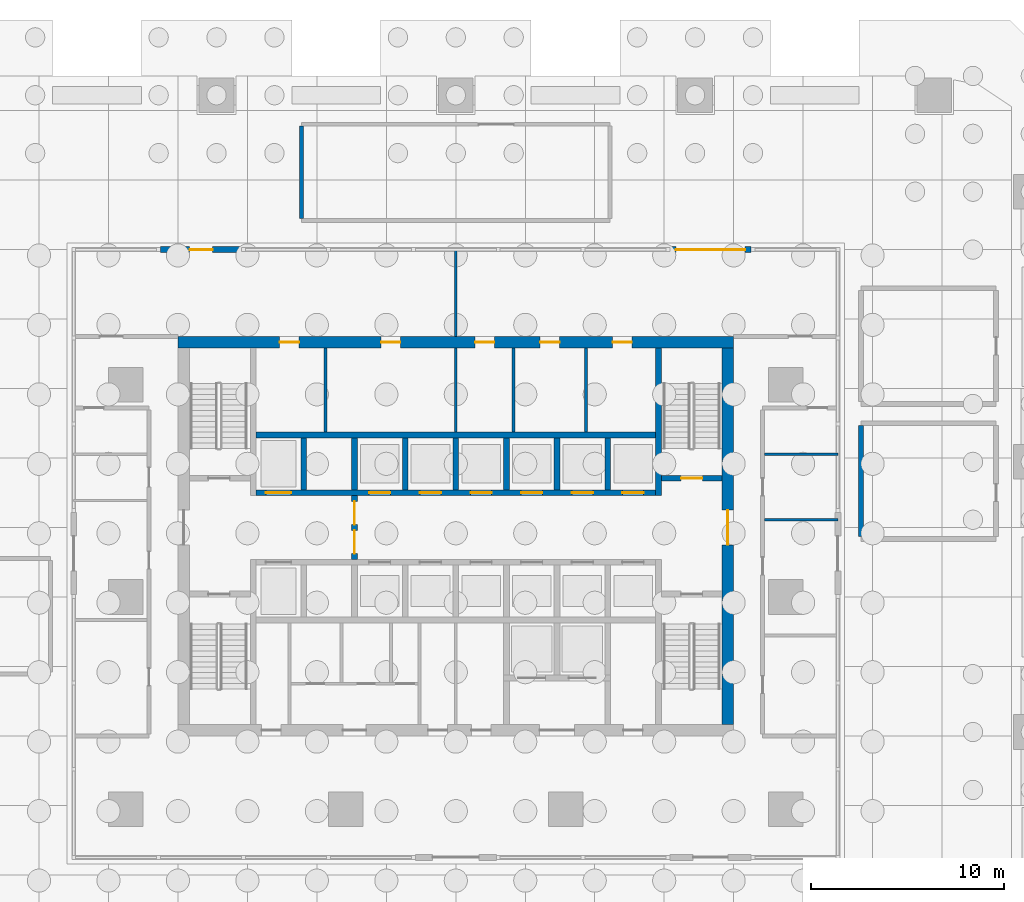
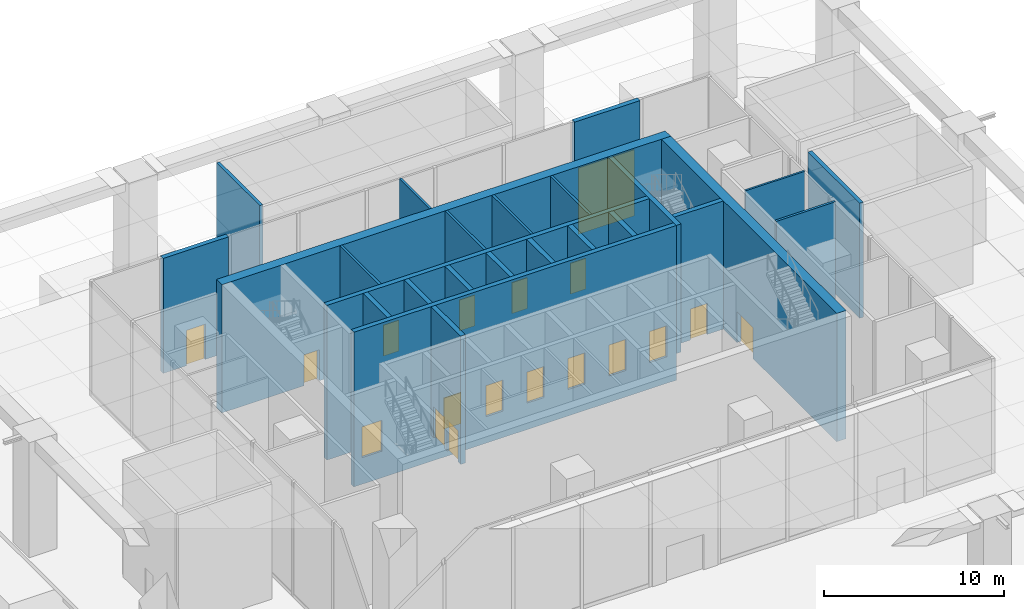
# One storey, part 8 of 18: 25 walls, 18 doors, 18 openings.
"""IFC4 building model written with IfcOpenShell, lengths in metres."""

from ifc_helpers import new_model, si_unit, direction, frame, frame_2d, origin, place, context, subcontext, project, spatial, rectangle, extrude, material, layer, layer_set, type_object, element, fill, save


model = new_model("IFC4")

# Units and contexts
model_context = context("Model", 3, precision=1e-05, world=origin(), true_north=direction((0.0, 1.0)))
body_context = subcontext(model_context, "Body", "Model", "MODEL_VIEW")
ifc_project = project(units=[si_unit("LENGTHUNIT", "METRE"), si_unit("AREAUNIT", "SQUARE_METRE"), si_unit("VOLUMEUNIT", "CUBIC_METRE"), si_unit("PLANEANGLEUNIT", "RADIAN"), si_unit("MASSUNIT", "GRAM", prefix="KILO")], contexts=[model_context])

# Site, building, storey
site_placement = place(None, origin())
site = spatial("IfcSite", under=ifc_project, at=site_placement, CompositionType="ELEMENT")
building_placement = place(site_placement, origin())
building = spatial("IfcBuilding", under=site, at=building_placement, Name="Mopane Tessera Tower", CompositionType="ELEMENT")
storey_placement = place(building_placement, origin())
storey = spatial("IfcBuildingStorey", under=building, at=storey_placement, Name="L00", CompositionType="ELEMENT", Elevation=0.0)

# Walls
ifc_material_1 = material(Name="Fire-rated gypsum board partition")
ifc_layer_1 = layer(ifc_material_1, 0.14990234375)
ifc_layer_set_1 = layer_set([ifc_layer_1], Name="Fire-rated gypsum board partition")
wall_type_1 = type_object("IfcWallType", Name="Core room partition 150 mm", PredefinedType="PARTITIONING", material=ifc_layer_set_1)
for number, where, z_axis, x_axis, name in (
    (1, (-6.75, 8.550048828125, 0.0), (0.0, 0.0, 1.0), (0.0, 1.0, 0.0), "L00 Room partition"),
    (2, (0.0, 8.550048828125, 0.0), (0.0, 0.0, 1.0), (0.0, 1.0, 0.0), "L00 Room partition"),
    (3, (3.0, 8.550048828125, 0.0), (0.0, 0.0, 1.0), (0.0, 1.0, 0.0), "L00 Room partition"),
    (4, (6.75, 8.550048828125, 0.0), (0.0, 0.0, 1.0), (0.0, 1.0, 0.0), "L00 Room partition"),
):
    element("IfcWall", number, at=place(storey_placement, frame(where, z_axis=z_axis, x_axis=x_axis)), inside=storey, type_object=wall_type_1, Name=name, PredefinedType="PARTITIONING", context=body_context, shape_type="SweptSolid", body=[
        extrude(rectangle(XDim=4.349853515625, YDim=0.14990234375, at=frame_2d((2.1748046875, 0.0))), origin(), (0.0, 0.0, 1.0), 8.699951171875),
    ])

# Wall, openings, doors
ifc_material_2 = material(Name="Concrete C70/85", Category="concrete")
ifc_layer_2 = layer(ifc_material_2, 0.60009765625)
ifc_layer_set_2 = layer_set([ifc_layer_2], Name="Concrete C70/85")
wall_type_2 = type_object("IfcWallType", Name="Core shear wall 600 mm", PredefinedType="SHEAR", material=ifc_layer_set_2)
wall_1_placement = place(storey_placement, frame((-14.39990234375, 13.199951171875, 0.0), z_axis=(0.0, 0.0, 1.0), x_axis=(1.0, 0.0, 0.0)))
wall_1 = element("IfcWall", 5, at=wall_1_placement, inside=storey, type_object=wall_type_2, Name="L00 Core wall north", PredefinedType="SHEAR", context=body_context, shape_type="SweptSolid", body=[
    extrude(rectangle(XDim=28.7998046875, YDim=0.60009765625, at=frame_2d((14.39990234375, 0.0))), origin(), (0.0, 0.0, 1.0), 8.699951171875),
])
opening_1_placement = place(wall_1_placement, frame((5.27490234375, 0.0, 0.0)))
opening_1 = element("IfcOpeningElement", 6, at=opening_1_placement, cuts=wall_1, Name="Opening RD1", PredefinedType="OPENING", context=body_context, shape_type="SweptSolid", body=[
    extrude(rectangle(XDim=1.0, YDim=2.10009765625, at=frame_2d((0.5, 1.050048828125))), frame((0.0, 0.31201171875, 0.0), z_axis=(0.0, -1.0, 0.0), x_axis=(1.0, 0.0, 0.0)), (0.0, 0.0, 1.0), 0.6240234375),
])
opening_2_placement = place(wall_1_placement, frame((10.52490234375, 0.0, 0.0)))
opening_2 = element("IfcOpeningElement", 7, at=opening_2_placement, cuts=wall_1, Name="Opening RD1", PredefinedType="OPENING", context=body_context, shape_type="SweptSolid", body=[
    extrude(rectangle(XDim=1.0, YDim=2.10009765625, at=frame_2d((0.5, 1.050048828125))), frame((0.0, 0.31201171875, 0.0), z_axis=(0.0, -1.0, 0.0), x_axis=(1.0, 0.0, 0.0)), (0.0, 0.0, 1.0), 0.6240234375),
])
opening_3_placement = place(wall_1_placement, frame((15.39990234375, 0.0, 0.0)))
opening_3 = element("IfcOpeningElement", 8, at=opening_3_placement, cuts=wall_1, Name="Opening RD1", PredefinedType="OPENING", context=body_context, shape_type="SweptSolid", body=[
    extrude(rectangle(XDim=1.0, YDim=2.10009765625, at=frame_2d((0.5, 1.050048828125))), frame((0.0, 0.31201171875, 0.0), z_axis=(0.0, -1.0, 0.0), x_axis=(1.0, 0.0, 0.0)), (0.0, 0.0, 1.0), 0.6240234375),
])
opening_4_placement = place(wall_1_placement, frame((18.77490234375, 0.0, 0.0)))
opening_4 = element("IfcOpeningElement", 9, at=opening_4_placement, cuts=wall_1, Name="Opening RD1", PredefinedType="OPENING", context=body_context, shape_type="SweptSolid", body=[
    extrude(rectangle(XDim=1.0, YDim=2.10009765625, at=frame_2d((0.5, 1.050048828125))), frame((0.0, 0.31201171875, 0.0), z_axis=(0.0, -1.0, 0.0), x_axis=(1.0, 0.0, 0.0)), (0.0, 0.0, 1.0), 0.6240234375),
])
opening_5_placement = place(wall_1_placement, frame((22.52490234375, 0.0, 0.0)))
opening_5 = element("IfcOpeningElement", 10, at=opening_5_placement, cuts=wall_1, Name="Opening RD1", PredefinedType="OPENING", context=body_context, shape_type="SweptSolid", body=[
    extrude(rectangle(XDim=1.0, YDim=2.10009765625, at=frame_2d((0.5, 1.050048828125))), frame((0.0, 0.31201171875, 0.0), z_axis=(0.0, -1.0, 0.0), x_axis=(1.0, 0.0, 0.0)), (0.0, 0.0, 1.0), 0.6240234375),
])
ifc_material_3 = material(Name="Timber door", Category="wood")
door_type_1 = type_object("IfcDoorType", Name="Core room door 1000 x 2100", OperationType="SINGLE_SWING_LEFT", PredefinedType="DOOR", material=ifc_material_3)
door_1_placement = place(opening_1_placement, origin())
door_1 = element("IfcDoor", 11, at=door_1_placement, inside=storey, type_object=door_type_1, Name="L00 Room door", OperationType="SINGLE_SWING_LEFT", OverallHeight=2.10009765625, OverallWidth=1.0, PredefinedType="DOOR", context=body_context, shape_type="SweptSolid", body=[
    extrude(rectangle(XDim=1.0, YDim=2.10009765625, at=frame_2d((0.5, 1.050048828125))), frame((0.0, 0.02490234375, 0.0), z_axis=(0.0, -1.0, 0.0), x_axis=(1.0, 0.0, 0.0)), (0.0, 0.0, 1.0), 0.050048828125),
])
fill(opening_1, door_1)
door_2_placement = place(opening_2_placement, origin())
door_2 = element("IfcDoor", 12, at=door_2_placement, inside=storey, type_object=door_type_1, Name="L00 Room door", OperationType="SINGLE_SWING_LEFT", OverallHeight=2.10009765625, OverallWidth=1.0, PredefinedType="DOOR", context=body_context, shape_type="SweptSolid", body=[
    extrude(rectangle(XDim=1.0, YDim=2.10009765625, at=frame_2d((0.5, 1.050048828125))), frame((0.0, 0.02490234375, 0.0), z_axis=(0.0, -1.0, 0.0), x_axis=(1.0, 0.0, 0.0)), (0.0, 0.0, 1.0), 0.050048828125),
])
fill(opening_2, door_2)
door_3_placement = place(opening_3_placement, origin())
door_3 = element("IfcDoor", 13, at=door_3_placement, inside=storey, type_object=door_type_1, Name="L00 Room door", OperationType="SINGLE_SWING_LEFT", OverallHeight=2.10009765625, OverallWidth=1.0, PredefinedType="DOOR", context=body_context, shape_type="SweptSolid", body=[
    extrude(rectangle(XDim=1.0, YDim=2.10009765625, at=frame_2d((0.5, 1.050048828125))), frame((0.0, 0.02490234375, 0.0), z_axis=(0.0, -1.0, 0.0), x_axis=(1.0, 0.0, 0.0)), (0.0, 0.0, 1.0), 0.050048828125),
])
fill(opening_3, door_3)
door_4_placement = place(opening_4_placement, origin())
door_4 = element("IfcDoor", 14, at=door_4_placement, inside=storey, type_object=door_type_1, Name="L00 Room door", OperationType="SINGLE_SWING_LEFT", OverallHeight=2.10009765625, OverallWidth=1.0, PredefinedType="DOOR", context=body_context, shape_type="SweptSolid", body=[
    extrude(rectangle(XDim=1.0, YDim=2.10009765625, at=frame_2d((0.5, 1.050048828125))), frame((0.0, 0.02490234375, 0.0), z_axis=(0.0, -1.0, 0.0), x_axis=(1.0, 0.0, 0.0)), (0.0, 0.0, 1.0), 0.050048828125),
])
fill(opening_4, door_4)
door_5_placement = place(opening_5_placement, origin())
door_5 = element("IfcDoor", 15, at=door_5_placement, inside=storey, type_object=door_type_1, Name="L00 Room door", OperationType="SINGLE_SWING_LEFT", OverallHeight=2.10009765625, OverallWidth=1.0, PredefinedType="DOOR", context=body_context, shape_type="SweptSolid", body=[
    extrude(rectangle(XDim=1.0, YDim=2.10009765625, at=frame_2d((0.5, 1.050048828125))), frame((0.0, 0.02490234375, 0.0), z_axis=(0.0, -1.0, 0.0), x_axis=(1.0, 0.0, 0.0)), (0.0, 0.0, 1.0), 0.050048828125),
])
fill(opening_5, door_5)

# Wall, opening, door
wall_2_placement = place(storey_placement, frame((14.10009765625, -6.60009765625, 0.0), z_axis=(0.0, 0.0, 1.0), x_axis=(0.0, 1.0, 0.0)))
wall_2 = element("IfcWall", 16, at=wall_2_placement, inside=storey, type_object=wall_type_2, Name="L00 Core wall east", PredefinedType="SHEAR", context=body_context, shape_type="SweptSolid", body=[
    extrude(rectangle(XDim=19.5, YDim=0.60009765625, at=frame_2d((9.75, 0.0))), origin(), (0.0, 0.0, 1.0), 8.699951171875),
])
opening_6_placement = place(wall_2_placement, frame((9.300048828125, 0.0, 0.0)))
opening_6 = element("IfcOpeningElement", 17, at=opening_6_placement, cuts=wall_2, Name="Opening SD2", PredefinedType="OPENING", context=body_context, shape_type="SweptSolid", body=[
    extrude(rectangle(XDim=1.800048828125, YDim=2.10009765625, at=frame_2d((0.89990234375, 1.050048828125))), frame((0.0, 0.31201171875, 0.0), z_axis=(0.0, -1.0, 0.0), x_axis=(1.0, 0.0, 0.0)), (0.0, 0.0, 1.0), 0.6240234375),
])
ifc_material_4 = material(Name="Steel fire door", Category="steel")
door_type_2 = type_object("IfcDoorType", Name="Core entrance double door 1800 x 2100", OperationType="DOUBLE_DOOR_SINGLE_SWING", PredefinedType="DOOR", material=ifc_material_4)
door_6_placement = place(opening_6_placement, origin())
door_6 = element("IfcDoor", 18, at=door_6_placement, inside=storey, type_object=door_type_2, Name="L00 Core entrance door east", OperationType="DOUBLE_DOOR_SINGLE_SWING", OverallHeight=2.10009765625, OverallWidth=1.800048828125, PredefinedType="DOOR", context=body_context, shape_type="SweptSolid", body=[
    extrude(rectangle(XDim=1.800048828125, YDim=2.10009765625, at=frame_2d((0.89990234375, 1.050048828125))), frame((0.0, 0.02490234375, 0.0), z_axis=(0.0, -1.0, 0.0), x_axis=(1.0, 0.0, 0.0)), (0.0, 0.0, 1.0), 0.050048828125),
])
fill(opening_6, door_6)

# Walls
ifc_material_5 = material(Name="Concrete C60/75", Category="concrete")
ifc_layer_3 = layer(ifc_material_5, 0.300048828125)
ifc_layer_set_3 = layer_set([ifc_layer_3], Name="Concrete C60/75")
wall_type_3 = type_object("IfcWallType", Name="Core spine wall 300 mm", PredefinedType="SHEAR", material=ifc_layer_set_3)
wall_3_placement = place(storey_placement, frame((10.5, 5.25, 0.0), z_axis=(0.0, 0.0, 1.0), x_axis=(0.0, 1.0, 0.0)))
element("IfcWall", 19, at=wall_3_placement, inside=storey, type_object=wall_type_3, Name="L00 Core spine wall", PredefinedType="SHEAR", context=body_context, shape_type="SweptSolid", body=[
    extrude(rectangle(XDim=7.64990234375, YDim=0.300048828125, at=frame_2d((3.824951171875, 0.0))), origin(), (0.0, 0.0, 1.0), 8.699951171875),
])
ifc_material_6 = material(Name="Gypsum board on steel studs, two layers each face, mineral wool infill", Category="steel")
ifc_layer_4 = layer(ifc_material_6, 0.199951171875)
ifc_layer_set_4 = layer_set([ifc_layer_4], Name="Gypsum board on steel studs, two layers each face, mineral wool infill")
wall_type_4 = type_object("IfcWallType", Name="Gypsum board corridor wall 200, rated EI 60", PredefinedType="PARTITIONING", material=ifc_layer_set_4)
wall_4_placement = place(storey_placement, frame((-8.0, 19.60009765625, 0.0), z_axis=(0.0, 0.0, 1.0), x_axis=(0.0, 1.0, 0.0)))
element("IfcWall", 20, at=wall_4_placement, inside=storey, type_object=wall_type_4, Name="Partition L00:023", PredefinedType="PARTITIONING", context=body_context, shape_type="SweptSolid", body=[
    extrude(rectangle(XDim=4.7998046875, YDim=0.199951171875, at=frame_2d((2.39990234375, 0.0))), origin(), (0.0, 0.0, 1.0), 7.800048828125),
])
ifc_material_7 = material(Name="Gypsum board on steel studs, mineral wool infill", Category="steel")
ifc_layer_5 = layer(ifc_material_7, 0.14990234375)
ifc_layer_set_5 = layer_set([ifc_layer_5], Name="Gypsum board on steel studs, mineral wool infill")
wall_type_5 = type_object("IfcWallType", Name="Gypsum board partition 150, rated EI 60", PredefinedType="PARTITIONING", material=ifc_layer_set_5)
wall_5_placement = place(storey_placement, frame((16.0, 4.0, 0.0), z_axis=(0.0, 0.0, 1.0), x_axis=(1.0, 0.0, 0.0)))
element("IfcWall", 21, at=wall_5_placement, inside=storey, type_object=wall_type_5, Name="Partition L00:007", PredefinedType="PARTITIONING", context=body_context, shape_type="SweptSolid", body=[
    extrude(rectangle(XDim=3.800048828125, YDim=0.14990234375, at=frame_2d((1.89990234375, 0.0))), origin(), (0.0, 0.0, 1.0), 7.800048828125),
])
wall_6_placement = place(storey_placement, frame((0.0, 13.5, 0.0), z_axis=(0.0, 0.0, 1.0), x_axis=(0.0, 1.0, 0.0)))
element("IfcWall", 22, at=wall_6_placement, inside=storey, type_object=wall_type_5, Name="Partition L00:024", PredefinedType="PARTITIONING", context=body_context, shape_type="SweptSolid", body=[
    extrude(rectangle(XDim=4.5, YDim=0.14990234375, at=frame_2d((2.25, 0.0))), origin(), (0.0, 0.0, 1.0), 7.800048828125),
])
ifc_material_8 = material(Name="Moisture-resistant gypsum board on steel studs, mineral wool infill", Category="steel")
ifc_layer_6 = layer(ifc_material_8, 0.125)
ifc_layer_set_6 = layer_set([ifc_layer_6], Name="Moisture-resistant gypsum board on steel studs, mineral wool infill")
wall_type_6 = type_object("IfcWallType", Name="Gypsum board wet-area partition 125, rated EI 60", PredefinedType="PARTITIONING", material=ifc_layer_set_6)
wall_7_placement = place(storey_placement, frame((16.0, 7.39990234375, 0.0), z_axis=(0.0, 0.0, 1.0), x_axis=(1.0, 0.0, 0.0)))
element("IfcWall", 23, at=wall_7_placement, inside=storey, type_object=wall_type_6, Name="Partition L00:010", PredefinedType="PARTITIONING", context=body_context, shape_type="SweptSolid", body=[
    extrude(rectangle(XDim=3.800048828125, YDim=0.125, at=frame_2d((1.89990234375, 0.0))), origin(), (0.0, 0.0, 1.0), 7.800048828125),
])

# Wall, opening, door
ifc_material_9 = material(Name="Concrete C50/60", Category="concrete")
ifc_layer_7 = layer(ifc_material_9, 0.300048828125)
ifc_layer_set_7 = layer_set([ifc_layer_7], Name="Concrete C50/60")
wall_type_7 = type_object("IfcWallType", Name="Lift and stair shaft wall 300 mm", PredefinedType="SOLIDWALL", material=ifc_layer_set_7)
wall_8_placement = place(storey_placement, frame((10.64990234375, 6.14990234375, 0.0), z_axis=(0.0, 0.0, 1.0), x_axis=(1.0, 0.0, 0.0)))
wall_8 = element("IfcWall", 24, at=wall_8_placement, inside=storey, type_object=wall_type_7, Name="L00 Stair enclosure wall", PredefinedType="SOLIDWALL", context=body_context, shape_type="SweptSolid", body=[
    extrude(rectangle(XDim=3.150146484375, YDim=0.300048828125, at=frame_2d((1.5751953125, 0.0))), origin(), (0.0, 0.0, 1.0), 8.699951171875),
])
opening_7_placement = place(wall_8_placement, frame((1.02490234375, 0.0, 0.0)))
opening_7 = element("IfcOpeningElement", 25, at=opening_7_placement, cuts=wall_8, Name="Opening SD1", PredefinedType="OPENING", context=body_context, shape_type="SweptSolid", body=[
    extrude(rectangle(XDim=1.10009765625, YDim=2.10009765625, at=frame_2d((0.550048828125, 1.050048828125))), frame((0.0, 0.162109375, 0.0), z_axis=(0.0, -1.0, 0.0), x_axis=(1.0, 0.0, 0.0)), (0.0, 0.0, 1.0), 0.323974609375),
])
ifc_material_10 = material(Name="Steel fire door", Category="steel")
door_type_3 = type_object("IfcDoorType", Name="Stair fire door 1100 x 2100", OperationType="SINGLE_SWING_LEFT", PredefinedType="DOOR", material=ifc_material_10)
door_7_placement = place(opening_7_placement, origin())
door_7 = element("IfcDoor", 26, at=door_7_placement, inside=storey, type_object=door_type_3, Name="L00 Stair door ST4", OperationType="SINGLE_SWING_RIGHT", OverallHeight=2.10009765625, OverallWidth=1.10009765625, PredefinedType="DOOR", context=body_context, shape_type="SweptSolid", body=[
    extrude(rectangle(XDim=1.10009765625, YDim=2.10009765625, at=frame_2d((0.550048828125, 1.050048828125))), frame((0.0, 0.02490234375, 0.0), z_axis=(0.0, -1.0, 0.0), x_axis=(1.0, 0.0, 0.0)), (0.0, 0.0, 1.0), 0.050048828125),
])
fill(opening_7, door_7)

# Wall, openings, doors
wall_9_placement = place(storey_placement, frame((-10.35009765625, 5.39990234375, -1.800048828125), z_axis=(0.0, 0.0, 1.0), x_axis=(1.0, 0.0, 0.0)))
wall_9 = element("IfcWall", 27, at=wall_9_placement, inside=storey, type_object=wall_type_7, Name="L00 Lift shaft front wall", PredefinedType="SOLIDWALL", context=body_context, shape_type="SweptSolid", body=[
    extrude(rectangle(XDim=20.7001953125, YDim=0.300048828125, at=frame_2d((10.35009765625, 0.0))), origin(), (0.0, 0.0, 1.0), 10.5),
])
opening_8_placement = place(wall_9_placement, frame((0.512451171875, 0.0, 1.800048828125)))
opening_8 = element("IfcOpeningElement", 28, at=opening_8_placement, cuts=wall_9, Name="Opening LD2", PredefinedType="OPENING", context=body_context, shape_type="SweptSolid", body=[
    extrude(rectangle(XDim=1.300048828125, YDim=2.10009765625, at=frame_2d((0.64990234375, 1.050048828125))), frame((0.0, 0.162109375, 0.0), z_axis=(0.0, -1.0, 0.0), x_axis=(1.0, 0.0, 0.0)), (0.0, 0.0, 1.0), 0.323974609375),
])
opening_9_placement = place(wall_9_placement, frame((5.862548828125, 0.0, 1.800048828125)))
opening_9 = element("IfcOpeningElement", 29, at=opening_9_placement, cuts=wall_9, Name="Opening LD", PredefinedType="OPENING", context=body_context, shape_type="SweptSolid", body=[
    extrude(rectangle(XDim=1.10009765625, YDim=2.10009765625, at=frame_2d((0.550048828125, 1.050048828125))), frame((0.0, 0.162109375, 0.0), z_axis=(0.0, -1.0, 0.0), x_axis=(1.0, 0.0, 0.0)), (0.0, 0.0, 1.0), 0.323974609375),
])
opening_10_placement = place(wall_9_placement, frame((8.487548828125, 0.0, 1.800048828125)))
opening_10 = element("IfcOpeningElement", 30, at=opening_10_placement, cuts=wall_9, Name="Opening LD", PredefinedType="OPENING", context=body_context, shape_type="SweptSolid", body=[
    extrude(rectangle(XDim=1.10009765625, YDim=2.10009765625, at=frame_2d((0.550048828125, 1.050048828125))), frame((0.0, 0.162109375, 0.0), z_axis=(0.0, -1.0, 0.0), x_axis=(1.0, 0.0, 0.0)), (0.0, 0.0, 1.0), 0.323974609375),
])
opening_11_placement = place(wall_9_placement, frame((11.112548828125, 0.0, 1.800048828125)))
opening_11 = element("IfcOpeningElement", 31, at=opening_11_placement, cuts=wall_9, Name="Opening LD", PredefinedType="OPENING", context=body_context, shape_type="SweptSolid", body=[
    extrude(rectangle(XDim=1.10009765625, YDim=2.10009765625, at=frame_2d((0.550048828125, 1.050048828125))), frame((0.0, 0.162109375, 0.0), z_axis=(0.0, -1.0, 0.0), x_axis=(1.0, 0.0, 0.0)), (0.0, 0.0, 1.0), 0.323974609375),
])
opening_12_placement = place(wall_9_placement, frame((13.737548828125, 0.0, 1.800048828125)))
opening_12 = element("IfcOpeningElement", 32, at=opening_12_placement, cuts=wall_9, Name="Opening LD", PredefinedType="OPENING", context=body_context, shape_type="SweptSolid", body=[
    extrude(rectangle(XDim=1.10009765625, YDim=2.10009765625, at=frame_2d((0.550048828125, 1.050048828125))), frame((0.0, 0.162109375, 0.0), z_axis=(0.0, -1.0, 0.0), x_axis=(1.0, 0.0, 0.0)), (0.0, 0.0, 1.0), 0.323974609375),
])
opening_13_placement = place(wall_9_placement, frame((16.362548828125, 0.0, 1.800048828125)))
opening_13 = element("IfcOpeningElement", 33, at=opening_13_placement, cuts=wall_9, Name="Opening LD", PredefinedType="OPENING", context=body_context, shape_type="SweptSolid", body=[
    extrude(rectangle(XDim=1.10009765625, YDim=2.10009765625, at=frame_2d((0.550048828125, 1.050048828125))), frame((0.0, 0.162109375, 0.0), z_axis=(0.0, -1.0, 0.0), x_axis=(1.0, 0.0, 0.0)), (0.0, 0.0, 1.0), 0.323974609375),
])
opening_14_placement = place(wall_9_placement, frame((18.987548828125, 0.0, 1.800048828125)))
opening_14 = element("IfcOpeningElement", 34, at=opening_14_placement, cuts=wall_9, Name="Opening LD", PredefinedType="OPENING", context=body_context, shape_type="SweptSolid", body=[
    extrude(rectangle(XDim=1.10009765625, YDim=2.10009765625, at=frame_2d((0.550048828125, 1.050048828125))), frame((0.0, 0.162109375, 0.0), z_axis=(0.0, -1.0, 0.0), x_axis=(1.0, 0.0, 0.0)), (0.0, 0.0, 1.0), 0.323974609375),
])
ifc_material_11 = material(Name="Stainless steel sliding door", Category="steel")
door_type_4 = type_object("IfcDoorType", Name="Fire-fighting lift landing door 1300 x 2100", OperationType="DOUBLE_DOOR_SLIDING", PredefinedType="DOOR", material=ifc_material_11)
door_8_placement = place(opening_8_placement, origin())
door_8 = element("IfcDoor", 35, at=door_8_placement, inside=storey, type_object=door_type_4, Name="L00 Lift landing door FF2", OperationType="DOUBLE_DOOR_SLIDING", OverallHeight=2.10009765625, OverallWidth=1.300048828125, PredefinedType="DOOR", context=body_context, shape_type="SweptSolid", body=[
    extrude(rectangle(XDim=1.300048828125, YDim=2.10009765625, at=frame_2d((0.64990234375, 1.050048828125))), frame((0.0, 0.02490234375, 0.0), z_axis=(0.0, -1.0, 0.0), x_axis=(1.0, 0.0, 0.0)), (0.0, 0.0, 1.0), 0.050048828125),
])
fill(opening_8, door_8)
ifc_material_12 = material(Name="Stainless steel sliding door", Category="steel")
door_type_5 = type_object("IfcDoorType", Name="Lift landing door 1100 x 2100", OperationType="DOUBLE_DOOR_SLIDING", PredefinedType="DOOR", material=ifc_material_12)
door_9_placement = place(opening_9_placement, origin())
door_9 = element("IfcDoor", 36, at=door_9_placement, inside=storey, type_object=door_type_5, Name="L00 Lift landing door HR1", OperationType="DOUBLE_DOOR_SLIDING", OverallHeight=2.10009765625, OverallWidth=1.10009765625, PredefinedType="DOOR", context=body_context, shape_type="SweptSolid", body=[
    extrude(rectangle(XDim=1.10009765625, YDim=2.10009765625, at=frame_2d((0.550048828125, 1.050048828125))), frame((0.0, 0.02490234375, 0.0), z_axis=(0.0, -1.0, 0.0), x_axis=(1.0, 0.0, 0.0)), (0.0, 0.0, 1.0), 0.050048828125),
])
fill(opening_9, door_9)
door_10_placement = place(opening_10_placement, origin())
door_10 = element("IfcDoor", 37, at=door_10_placement, inside=storey, type_object=door_type_5, Name="L00 Lift landing door HR2", OperationType="DOUBLE_DOOR_SLIDING", OverallHeight=2.10009765625, OverallWidth=1.10009765625, PredefinedType="DOOR", context=body_context, shape_type="SweptSolid", body=[
    extrude(rectangle(XDim=1.10009765625, YDim=2.10009765625, at=frame_2d((0.550048828125, 1.050048828125))), frame((0.0, 0.02490234375, 0.0), z_axis=(0.0, -1.0, 0.0), x_axis=(1.0, 0.0, 0.0)), (0.0, 0.0, 1.0), 0.050048828125),
])
fill(opening_10, door_10)
door_11_placement = place(opening_11_placement, origin())
door_11 = element("IfcDoor", 38, at=door_11_placement, inside=storey, type_object=door_type_5, Name="L00 Lift landing door HR3", OperationType="DOUBLE_DOOR_SLIDING", OverallHeight=2.10009765625, OverallWidth=1.10009765625, PredefinedType="DOOR", context=body_context, shape_type="SweptSolid", body=[
    extrude(rectangle(XDim=1.10009765625, YDim=2.10009765625, at=frame_2d((0.550048828125, 1.050048828125))), frame((0.0, 0.02490234375, 0.0), z_axis=(0.0, -1.0, 0.0), x_axis=(1.0, 0.0, 0.0)), (0.0, 0.0, 1.0), 0.050048828125),
])
fill(opening_11, door_11)
door_12_placement = place(opening_12_placement, origin())
door_12 = element("IfcDoor", 39, at=door_12_placement, inside=storey, type_object=door_type_5, Name="L00 Lift landing door HR4", OperationType="DOUBLE_DOOR_SLIDING", OverallHeight=2.10009765625, OverallWidth=1.10009765625, PredefinedType="DOOR", context=body_context, shape_type="SweptSolid", body=[
    extrude(rectangle(XDim=1.10009765625, YDim=2.10009765625, at=frame_2d((0.550048828125, 1.050048828125))), frame((0.0, 0.02490234375, 0.0), z_axis=(0.0, -1.0, 0.0), x_axis=(1.0, 0.0, 0.0)), (0.0, 0.0, 1.0), 0.050048828125),
])
fill(opening_12, door_12)
door_13_placement = place(opening_13_placement, origin())
door_13 = element("IfcDoor", 40, at=door_13_placement, inside=storey, type_object=door_type_5, Name="L00 Lift landing door HR5", OperationType="DOUBLE_DOOR_SLIDING", OverallHeight=2.10009765625, OverallWidth=1.10009765625, PredefinedType="DOOR", context=body_context, shape_type="SweptSolid", body=[
    extrude(rectangle(XDim=1.10009765625, YDim=2.10009765625, at=frame_2d((0.550048828125, 1.050048828125))), frame((0.0, 0.02490234375, 0.0), z_axis=(0.0, -1.0, 0.0), x_axis=(1.0, 0.0, 0.0)), (0.0, 0.0, 1.0), 0.050048828125),
])
fill(opening_13, door_13)
door_14_placement = place(opening_14_placement, origin())
door_14 = element("IfcDoor", 41, at=door_14_placement, inside=storey, type_object=door_type_5, Name="L00 Lift landing door HR6", OperationType="DOUBLE_DOOR_SLIDING", OverallHeight=2.10009765625, OverallWidth=1.10009765625, PredefinedType="DOOR", context=body_context, shape_type="SweptSolid", body=[
    extrude(rectangle(XDim=1.10009765625, YDim=2.10009765625, at=frame_2d((0.550048828125, 1.050048828125))), frame((0.0, 0.02490234375, 0.0), z_axis=(0.0, -1.0, 0.0), x_axis=(1.0, 0.0, 0.0)), (0.0, 0.0, 1.0), 0.050048828125),
])
fill(opening_14, door_14)

# Walls
wall_10_placement = place(storey_placement, frame((-10.35009765625, 8.39990234375, -1.800048828125), z_axis=(0.0, 0.0, 1.0), x_axis=(1.0, 0.0, 0.0)))
element("IfcWall", 42, at=wall_10_placement, inside=storey, type_object=wall_type_7, Name="L00 Lift shaft rear wall", PredefinedType="SOLIDWALL", context=body_context, shape_type="SweptSolid", body=[
    extrude(rectangle(XDim=20.7001953125, YDim=0.300048828125, at=frame_2d((10.35009765625, 0.0))), origin(), (0.0, 0.0, 1.0), 10.5),
])
for number, where, z_axis, x_axis, name in (
    (43, (-7.875, 5.550048828125, -1.800048828125), (0.0, 0.0, 1.0), (0.0, 1.0, 0.0), "L00 Lift shaft wall"),
    (44, (-5.25, 5.550048828125, -1.800048828125), (0.0, 0.0, 1.0), (0.0, 1.0, 0.0), "L00 Lift shaft wall"),
    (45, (-2.625, 5.550048828125, -1.800048828125), (0.0, 0.0, 1.0), (0.0, 1.0, 0.0), "L00 Lift shaft wall"),
    (46, (0.0, 5.550048828125, -1.800048828125), (0.0, 0.0, 1.0), (0.0, 1.0, 0.0), "L00 Lift shaft wall"),
    (47, (2.625, 5.550048828125, -1.800048828125), (0.0, 0.0, 1.0), (0.0, 1.0, 0.0), "L00 Lift shaft wall"),
    (48, (5.25, 5.550048828125, -1.800048828125), (0.0, 0.0, 1.0), (0.0, 1.0, 0.0), "L00 Lift shaft wall"),
    (49, (7.875, 5.550048828125, -1.800048828125), (0.0, 0.0, 1.0), (0.0, 1.0, 0.0), "L00 Lift shaft wall"),
):
    element("IfcWall", number, at=place(storey_placement, frame(where, z_axis=z_axis, x_axis=x_axis)), inside=storey, type_object=wall_type_7, Name=name, PredefinedType="SOLIDWALL", context=body_context, shape_type="SweptSolid", body=[
        extrude(rectangle(XDim=2.699951171875, YDim=0.300048828125, at=frame_2d((1.35009765625, 0.0))), origin(), (0.0, 0.0, 1.0), 10.5),
    ])

# Wall, openings, doors
ifc_material_13 = material(Name="Concrete C50/60", Category="concrete")
ifc_layer_8 = layer(ifc_material_13, 0.300048828125)
ifc_layer_set_8 = layer_set([ifc_layer_8], Name="Concrete C50/60")
wall_type_8 = type_object("IfcWallType", Name="Lobby and refuge room wall 300 mm", PredefinedType="SOLIDWALL", material=ifc_layer_set_8)
wall_11_placement = place(storey_placement, frame((-5.25, 1.949951171875, 0.0), z_axis=(0.0, 0.0, 1.0), x_axis=(0.0, 1.0, 0.0)))
wall_11 = element("IfcWall", 50, at=wall_11_placement, inside=storey, type_object=wall_type_8, Name="L00 Fire-fighting lobby wall", PredefinedType="SOLIDWALL", context=body_context, shape_type="SweptSolid", body=[
    extrude(rectangle(XDim=3.300048828125, YDim=0.300048828125, at=frame_2d((1.64990234375, 0.0))), origin(), (0.0, 0.0, 1.0), 8.699951171875),
])
opening_15_placement = place(wall_11_placement, frame((0.300048828125, 0.0, 0.0)))
opening_15 = element("IfcOpeningElement", 51, at=opening_15_placement, cuts=wall_11, Name="Opening SD3", PredefinedType="OPENING", context=body_context, shape_type="SweptSolid", body=[
    extrude(rectangle(XDim=1.199951171875, YDim=2.10009765625, at=frame_2d((0.60009765625, 1.050048828125))), frame((0.0, 0.162109375, 0.0), z_axis=(0.0, -1.0, 0.0), x_axis=(1.0, 0.0, 0.0)), (0.0, 0.0, 1.0), 0.323974609375),
])
opening_16_placement = place(wall_11_placement, frame((1.800048828125, 0.0, 0.0)))
opening_16 = element("IfcOpeningElement", 52, at=opening_16_placement, cuts=wall_11, Name="Opening SD3", PredefinedType="OPENING", context=body_context, shape_type="SweptSolid", body=[
    extrude(rectangle(XDim=1.199951171875, YDim=2.10009765625, at=frame_2d((0.60009765625, 1.050048828125))), frame((0.0, 0.162109375, 0.0), z_axis=(0.0, -1.0, 0.0), x_axis=(1.0, 0.0, 0.0)), (0.0, 0.0, 1.0), 0.323974609375),
])
ifc_material_14 = material(Name="Steel fire door", Category="steel")
door_type_6 = type_object("IfcDoorType", Name="Lobby fire door 1200 x 2100", OperationType="SINGLE_SWING_LEFT", PredefinedType="DOOR", material=ifc_material_14)
door_15_placement = place(opening_15_placement, origin())
door_15 = element("IfcDoor", 53, at=door_15_placement, inside=storey, type_object=door_type_6, Name="L00 Fire-fighting lobby door", OperationType="SINGLE_SWING_LEFT", OverallHeight=2.10009765625, OverallWidth=1.199951171875, PredefinedType="DOOR", context=body_context, shape_type="SweptSolid", body=[
    extrude(rectangle(XDim=1.199951171875, YDim=2.10009765625, at=frame_2d((0.60009765625, 1.050048828125))), frame((0.0, 0.02490234375, 0.0), z_axis=(0.0, -1.0, 0.0), x_axis=(1.0, 0.0, 0.0)), (0.0, 0.0, 1.0), 0.050048828125),
])
fill(opening_15, door_15)
door_16_placement = place(opening_16_placement, origin())
door_16 = element("IfcDoor", 54, at=door_16_placement, inside=storey, type_object=door_type_6, Name="L00 Fire-fighting lobby door", OperationType="SINGLE_SWING_RIGHT", OverallHeight=2.10009765625, OverallWidth=1.199951171875, PredefinedType="DOOR", context=body_context, shape_type="SweptSolid", body=[
    extrude(rectangle(XDim=1.199951171875, YDim=2.10009765625, at=frame_2d((0.60009765625, 1.050048828125))), frame((0.0, 0.02490234375, 0.0), z_axis=(0.0, -1.0, 0.0), x_axis=(1.0, 0.0, 0.0)), (0.0, 0.0, 1.0), 0.050048828125),
])
fill(opening_16, door_16)

# Wall
ifc_material_15 = material(Name="Plastered concrete blockwork C20/25", Category="masonry")
ifc_layer_9 = layer(ifc_material_15, 0.25)
ifc_layer_set_9 = layer_set([ifc_layer_9], Name="Plastered concrete blockwork C20/25")
wall_type_9 = type_object("IfcWallType", Name="Plastered blockwork wall 250, rated EI 120", PredefinedType="PARTITIONING", material=ifc_layer_set_9)
wall_12_placement = place(storey_placement, frame((21.0, 3.125, 0.0), z_axis=(0.0, 0.0, 1.0), x_axis=(0.0, 1.0, 0.0)))
element("IfcWall", 55, at=wall_12_placement, inside=storey, type_object=wall_type_9, Name="Partition L00:027", PredefinedType="PARTITIONING", context=body_context, shape_type="SweptSolid", body=[
    extrude(rectangle(XDim=5.75, YDim=0.25, at=frame_2d((2.875, 0.0))), origin(), (0.0, 0.0, 1.0), 7.800048828125),
])

# Wall, opening, door
ifc_material_16 = material(Name="Blockwork with glazed tile facing", Category="masonry")
ifc_layer_10 = layer(ifc_material_16, 0.300048828125)
ifc_layer_set_10 = layer_set([ifc_layer_10], Name="Blockwork with glazed tile facing")
wall_type_10 = type_object("IfcWallType", Name="Tile-clad portal wall 300", PredefinedType="STANDARD", material=ifc_layer_set_10)
wall_13_placement = place(storey_placement, frame((-15.300048828125, 18.0, 0.0), z_axis=(0.0, 0.0, 1.0), x_axis=(1.0, 0.0, 0.0)))
wall_13 = element("IfcWall", 56, at=wall_13_placement, inside=storey, type_object=wall_type_10, Name="e:pp:N:1", PredefinedType="STANDARD", context=body_context, shape_type="SweptSolid", body=[
    extrude(rectangle(XDim=4.199951171875, YDim=0.300048828125, at=frame_2d((2.10009765625, 0.0))), origin(), (0.0, 0.0, 1.0), 7.800048828125),
])
opening_17_placement = place(wall_13_placement, frame((1.5, 0.0, 0.0)))
opening_17 = element("IfcOpeningElement", 57, at=opening_17_placement, cuts=wall_13, Name="Opening PDN1", PredefinedType="OPENING", context=body_context, shape_type="SweptSolid", body=[
    extrude(rectangle(XDim=1.199951171875, YDim=2.39990234375, at=frame_2d((0.60009765625, 1.199951171875))), frame((0.0, 0.162109375, 0.0), z_axis=(0.0, -1.0, 0.0), x_axis=(1.0, 0.0, 0.0)), (0.0, 0.0, 1.0), 0.323974609375),
])
ifc_material_17 = material(Name="Galvanised steel", Category="steel")
door_type_7 = type_object("IfcDoorType", Name="Service door 1200 x 2400", OperationType="SINGLE_SWING_LEFT", PredefinedType="DOOR", material=ifc_material_17)
door_17_placement = place(opening_17_placement, origin())
door_17 = element("IfcDoor", 58, at=door_17_placement, inside=storey, type_object=door_type_7, Name="Service entrance", ObjectType="D5", OperationType="SINGLE_SWING_LEFT", OverallHeight=2.39990234375, OverallWidth=1.199951171875, PredefinedType="DOOR", context=body_context, shape_type="SweptSolid", body=[
    extrude(rectangle(XDim=1.199951171875, YDim=2.39990234375, at=frame_2d((0.60009765625, 1.199951171875))), frame((0.0, 0.02490234375, 0.0), z_axis=(0.0, -1.0, 0.0), x_axis=(1.0, 0.0, 0.0)), (0.0, 0.0, 1.0), 0.050048828125),
])
fill(opening_17, door_17)

wall_14_placement = place(storey_placement, frame((11.10009765625, 18.0, 0.0), z_axis=(0.0, 0.0, 1.0), x_axis=(1.0, 0.0, 0.0)))
wall_14 = element("IfcWall", 59, at=wall_14_placement, inside=storey, type_object=wall_type_10, Name="e:pp:N:7", PredefinedType="STANDARD", context=body_context, shape_type="SweptSolid", body=[
    extrude(rectangle(XDim=4.199951171875, YDim=0.300048828125, at=frame_2d((2.10009765625, 0.0))), origin(), (0.0, 0.0, 1.0), 7.800048828125),
])
opening_18_placement = place(wall_14_placement, frame((0.300048828125, 0.0, 0.0)))
opening_18 = element("IfcOpeningElement", 60, at=opening_18_placement, cuts=wall_14, Name="Opening PDN7", PredefinedType="OPENING", context=body_context, shape_type="SweptSolid", body=[
    extrude(rectangle(XDim=3.60009765625, YDim=4.5, at=frame_2d((1.800048828125, 2.25))), frame((0.0, 0.162109375, 0.0), z_axis=(0.0, -1.0, 0.0), x_axis=(1.0, 0.0, 0.0)), (0.0, 0.0, 1.0), 0.323974609375),
])
ifc_material_18 = material(Name="Galvanised steel slats", Category="steel")
door_type_8 = type_object("IfcDoorType", Name="Loading bay roller door 3600 x 4500", OperationType="ROLLINGUP", PredefinedType="DOOR", material=ifc_material_18)
door_18_placement = place(opening_18_placement, origin())
door_18 = element("IfcDoor", 61, at=door_18_placement, inside=storey, type_object=door_type_8, Name="Loading bay door", ObjectType="D6", OperationType="ROLLINGUP", OverallHeight=4.5, OverallWidth=3.60009765625, PredefinedType="DOOR", context=body_context, shape_type="SweptSolid", body=[
    extrude(rectangle(XDim=3.60009765625, YDim=4.5, at=frame_2d((1.800048828125, 2.25))), frame((0.0, 0.02490234375, 0.0), z_axis=(0.0, -1.0, 0.0), x_axis=(1.0, 0.0, 0.0)), (0.0, 0.0, 1.0), 0.050048828125),
])
fill(opening_18, door_18)

save(model, "model.ifc")
